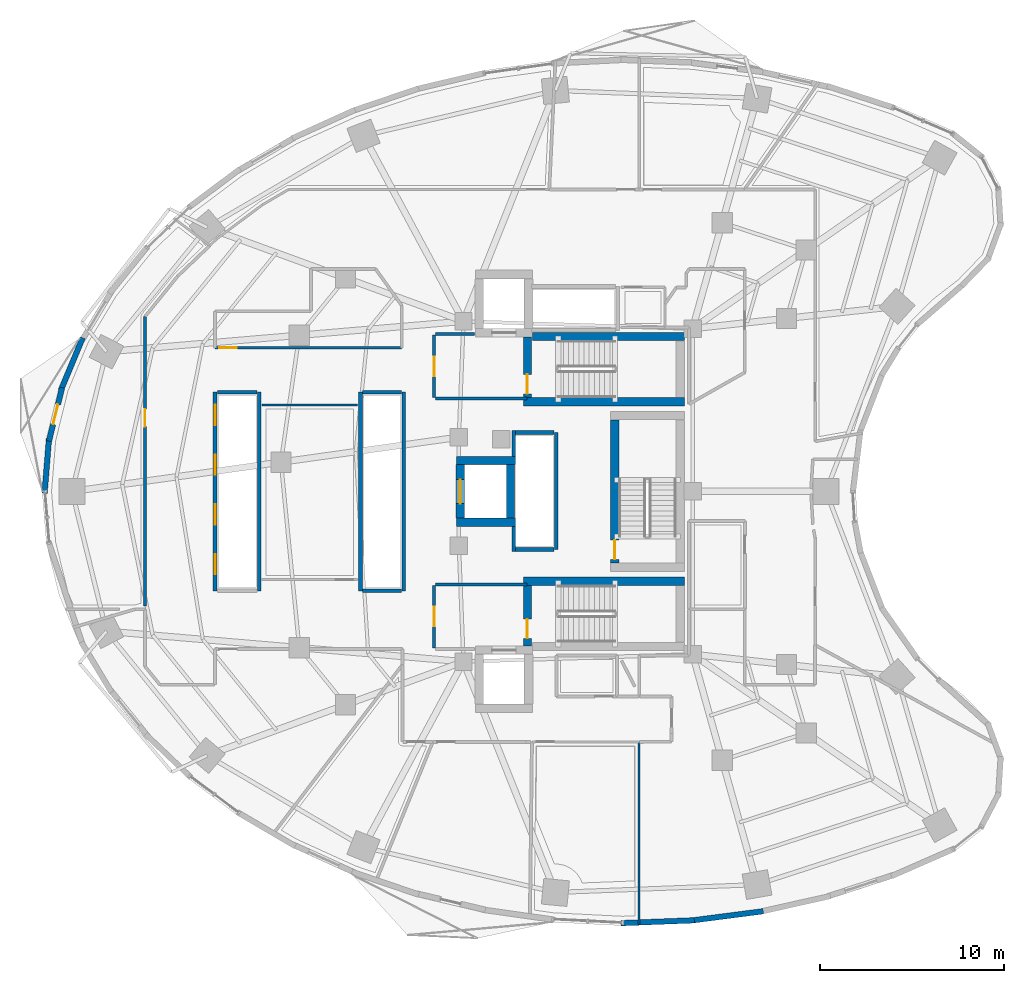
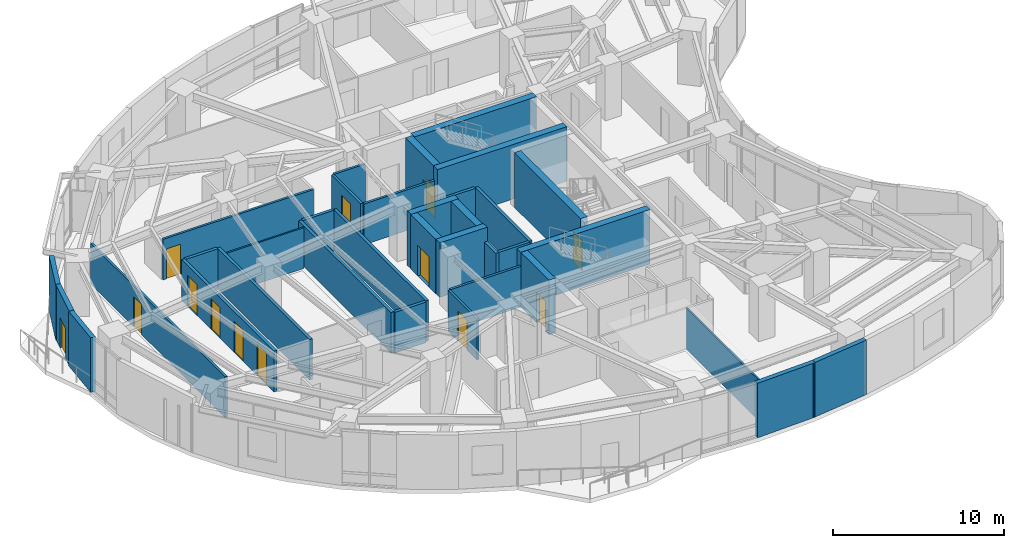
# One storey, part 9 of 15: 36 walls, 13 doors, 13 openings.
"""IFC4 building model written with IfcOpenShell, lengths in metres."""

from ifc_helpers import new_model, si_unit, direction, frame, frame_2d, origin, place, context, subcontext, project, spatial, rectangle, extrude, material, layer, layer_set, type_object, element, fill, save


model = new_model("IFC4")

# Units and contexts
model_context = context("Model", 3, precision=1e-05, world=origin(), true_north=direction((0.0, 1.0)))
body_context = subcontext(model_context, "Body", "Model", "MODEL_VIEW")
ifc_project = project(units=[si_unit("LENGTHUNIT", "METRE"), si_unit("AREAUNIT", "SQUARE_METRE"), si_unit("VOLUMEUNIT", "CUBIC_METRE"), si_unit("PLANEANGLEUNIT", "RADIAN"), si_unit("MASSUNIT", "GRAM", prefix="KILO")], contexts=[model_context])

# Site, building, storey
site_placement = place(None, origin())
site = spatial("IfcSite", under=ifc_project, at=site_placement, CompositionType="ELEMENT")
building_placement = place(site_placement, origin())
building = spatial("IfcBuilding", under=site, at=building_placement, Name="Korentha Bioscience Tower", CompositionType="ELEMENT")
storey_placement = place(building_placement, frame((0.0, 0.0, 42.60009765625)))
storey = spatial("IfcBuildingStorey", under=building, at=storey_placement, Name="L09", CompositionType="ELEMENT", Elevation=42.60009765625)

# Wall, opening, door
ifc_material_1 = material(Name="Double-Stud Acoustic Gypsum", Category="gypsum")
ifc_layer_1 = layer(ifc_material_1, 0.14990234375, Name="Double-Stud Acoustic Gypsum")
ifc_layer_set_1 = layer_set([ifc_layer_1], Name="Double-Stud Acoustic Gypsum (IW-L150)")
wall_type_1 = type_object("IfcWallType", Name="Acoustic Laboratory Partition Wall 150", PredefinedType="PARTITIONING", material=ifc_layer_set_1)
wall_1_placement = place(storey_placement, frame((21.739990234375, 34.81005859375, 0.0), z_axis=(0.0, 0.0, 1.0), x_axis=(-1.0, 0.0, 0.0)))
wall_1 = element("IfcWall", 1, at=wall_1_placement, inside=storey, type_object=wall_type_1, Name="L09 Clinical Advisory Boardroom 14 Entrance Wall", PredefinedType="PARTITIONING", context=body_context, shape_type="SweptSolid", body=[
    extrude(rectangle(XDim=10.14990234375, YDim=0.14990234375, at=frame_2d((5.074951171875, 0.0))), origin(), (0.0, 0.0, 1.0), 2.909912109375),
])
opening_1_placement = place(wall_1_placement, frame((8.9599609375, 0.0, 0.0)))
opening_1 = element("IfcOpeningElement", 2, at=opening_1_placement, cuts=wall_1, Name="Opening ID-10L", PredefinedType="OPENING", context=body_context, shape_type="SweptSolid", body=[
    extrude(rectangle(XDim=0.949951171875, YDim=2.14990234375, at=frame_2d((0.47509765625, 1.074951171875))), frame((0.0, 0.08984375, 0.0), z_axis=(0.0, -1.0, 0.0), x_axis=(1.0, 0.0, 0.0)), (0.0, 0.0, 1.0), 0.1796875),
])
ifc_material_2 = material(Name="Phenolic Laminate Timber Core", Category="wood")
door_type_1 = type_object("IfcDoorType", Name="Laboratory Single Leaf Door 950x2150 Left", OperationType="SINGLE_SWING_LEFT", PredefinedType="DOOR", material=ifc_material_2)
door_1_placement = place(opening_1_placement, origin())
door_1 = element("IfcDoor", 3, at=door_1_placement, inside=storey, type_object=door_type_1, Name="L09 Clinical Advisory Boardroom 14 Door", OperationType="SINGLE_SWING_LEFT", OverallHeight=2.14990234375, OverallWidth=0.949951171875, PredefinedType="DOOR", context=body_context, shape_type="SweptSolid", body=[
    extrude(rectangle(XDim=0.949951171875, YDim=2.14990234375, at=frame_2d((0.47509765625, 1.074951171875))), frame((0.0, 0.02490234375, 0.0), z_axis=(0.0, -1.0, 0.0), x_axis=(1.0, 0.0, 0.0)), (0.0, 0.0, 1.0), 0.050048828125),
])
fill(opening_1, door_1)

wall_2_placement = place(storey_placement, frame((7.7900390625, 36.501220703125, 0.0), z_axis=(0.0, 0.0, 1.0), x_axis=(0.0, -1.0, 0.0)))
wall_2 = element("IfcWall", 4, at=wall_2_placement, inside=storey, type_object=wall_type_1, Name="L09 Researchers' Wellness Quiet Room 15 Entrance Wall", PredefinedType="PARTITIONING", context=body_context, shape_type="SweptSolid", body=[
    extrude(rectangle(XDim=15.739501953125, YDim=0.14990234375, at=frame_2d((7.86962890625, 0.0))), origin(), (0.0, 0.0, 1.0), 2.909912109375),
])
opening_2_placement = place(wall_2_placement, frame((5.023193359375, 0.0, 0.0)))
opening_2 = element("IfcOpeningElement", 5, at=opening_2_placement, cuts=wall_2, Name="Opening ID-10R", PredefinedType="OPENING", context=body_context, shape_type="SweptSolid", body=[
    extrude(rectangle(XDim=0.949951171875, YDim=2.14990234375, at=frame_2d((0.47509765625, 1.074951171875))), frame((0.0, 0.08984375, 0.0), z_axis=(0.0, -1.0, 0.0), x_axis=(1.0, 0.0, 0.0)), (0.0, 0.0, 1.0), 0.1796875),
])
door_type_2 = type_object("IfcDoorType", Name="Laboratory Single Leaf Door 950x2150 Right", OperationType="SINGLE_SWING_RIGHT", PredefinedType="DOOR", material=ifc_material_2)
door_2_placement = place(opening_2_placement, origin())
door_2 = element("IfcDoor", 6, at=door_2_placement, inside=storey, type_object=door_type_2, Name="L09 Researchers' Wellness Quiet Room 15 Door", OperationType="SINGLE_SWING_RIGHT", OverallHeight=2.14990234375, OverallWidth=0.949951171875, PredefinedType="DOOR", context=body_context, shape_type="SweptSolid", body=[
    extrude(rectangle(XDim=0.949951171875, YDim=2.14990234375, at=frame_2d((0.47509765625, 1.074951171875))), frame((0.0, 0.02490234375, 0.0), z_axis=(0.0, -1.0, 0.0), x_axis=(1.0, 0.0, 0.0)), (0.0, 0.0, 1.0), 0.050048828125),
])
fill(opening_2, door_2)

# Walls
ifc_material_3 = material(Name="Fire-Rated Framed Glass", Category="glass")
ifc_layer_2 = layer(ifc_material_3, 0.110107421875, Name="Fire-Rated Framed Glass")
ifc_layer_set_2 = layer_set([ifc_layer_2], Name="Fire-Rated Framed Glass (IW-G110)")
wall_type_2 = type_object("IfcWallType", Name="Demountable Glazed Office Partition 110", PredefinedType="MOVABLE", material=ifc_layer_set_2)
wall_3_placement = place(storey_placement, frame((14.16015625, 31.697998046875, 0.0), z_axis=(0.0, 0.0, 1.0), x_axis=(1.0, 0.0, 0.0)))
element("IfcWall", 7, at=wall_3_placement, inside=storey, type_object=wall_type_2, Name="L09 Interior Partition 023", PredefinedType="MOVABLE", context=body_context, shape_type="SweptSolid", body=[
    extrude(rectangle(XDim=5.1796875, YDim=0.110107421875, at=frame_2d((2.58984375, 0.0))), origin(), (0.0, 0.0, 1.0), 2.909912109375),
])
wall_4_placement = place(storey_placement, frame((34.64794921875, 13.389892578125, 0.0), z_axis=(0.0, 0.0, 1.0), x_axis=(0.0, -1.0, 0.0)))
element("IfcWall", 8, at=wall_4_placement, inside=storey, type_object=wall_type_2, Name="L09 Interior Partition 036", PredefinedType="MOVABLE", context=body_context, shape_type="SweptSolid", body=[
    extrude(rectangle(XDim=9.93408203125, YDim=0.110107421875, at=frame_2d((4.967041015625, 0.0))), origin(), (0.0, 0.0, 1.0), 2.909912109375),
])

# Wall, opening, door
ifc_material_4 = material(Name="Gypsum-Clad Steel Stud", Category="steel")
ifc_layer_3 = layer(ifc_material_4, 0.159912109375, Name="Gypsum-Clad Steel Stud")
ifc_layer_set_3 = layer_set([ifc_layer_3], Name="Gypsum-Clad Steel Stud (IW-C160)")
wall_type_3 = type_object("IfcWallType", Name="Fire-Rated Corridor Partition Wall 160", PredefinedType="PARTITIONING", material=ifc_layer_set_3)
wall_5_placement = place(storey_placement, frame((23.5, 32.10009765625, 0.0), z_axis=(0.0, 0.0, 1.0), x_axis=(0.0, 1.0, 0.0)))
wall_5 = element("IfcWall", 9, at=wall_5_placement, inside=storey, type_object=wall_type_3, Name="L09 FFLN-CW Rated Enclosure Wall", PredefinedType="PARTITIONING", context=body_context, shape_type="SweptSolid", body=[
    extrude(rectangle(XDim=3.39990234375, YDim=0.159912109375, at=frame_2d((1.699951171875, 0.0))), origin(), (0.0, 0.0, 1.0), 2.909912109375),
])
opening_3_placement = place(wall_5_placement, frame((1.175048828125, 0.0, 0.0)))
opening_3 = element("IfcOpeningElement", 10, at=opening_3_placement, cuts=wall_5, Name="Opening FD-90R", PredefinedType="OPENING", context=body_context, shape_type="SweptSolid", body=[
    extrude(rectangle(XDim=1.050048828125, YDim=2.14990234375, at=frame_2d((0.52490234375, 1.074951171875))), frame((0.0, 0.0947265625, 0.0), z_axis=(0.0, -1.0, 0.0), x_axis=(1.0, 0.0, 0.0)), (0.0, 0.0, 1.0), 0.189697265625),
])
ifc_material_5 = material(Name="Powder-Coated Fire-Rated Steel", Category="steel")
door_type_3 = type_object("IfcDoorType", Name="Stairwell Fire Exit Door 1050x2150 Right", OperationType="SINGLE_SWING_RIGHT", PredefinedType="DOOR", material=ifc_material_5)
door_3_placement = place(opening_3_placement, origin())
door_3 = element("IfcDoor", 11, at=door_3_placement, inside=storey, type_object=door_type_3, Name="L09 North Firefighting Lobby Door", OperationType="SINGLE_SWING_RIGHT", OverallHeight=2.14990234375, OverallWidth=1.050048828125, PredefinedType="DOOR", context=body_context, shape_type="SweptSolid", body=[
    extrude(rectangle(XDim=1.050048828125, YDim=2.14990234375, at=frame_2d((0.52490234375, 1.074951171875))), frame((0.0, 0.02490234375, 0.0), z_axis=(0.0, -1.0, 0.0), x_axis=(1.0, 0.0, 0.0)), (0.0, 0.0, 1.0), 0.050048828125),
])
fill(opening_3, door_3)

wall_6_placement = place(storey_placement, frame((23.5, 18.5, 0.0), z_axis=(0.0, 0.0, 1.0), x_axis=(0.0, 1.0, 0.0)))
wall_6 = element("IfcWall", 12, at=wall_6_placement, inside=storey, type_object=wall_type_3, Name="L09 FFLS-CW Rated Enclosure Wall", PredefinedType="PARTITIONING", context=body_context, shape_type="SweptSolid", body=[
    extrude(rectangle(XDim=3.39990234375, YDim=0.159912109375, at=frame_2d((1.699951171875, 0.0))), origin(), (0.0, 0.0, 1.0), 2.909912109375),
])
opening_4_placement = place(wall_6_placement, frame((1.175048828125, 0.0, 0.0)))
opening_4 = element("IfcOpeningElement", 13, at=opening_4_placement, cuts=wall_6, Name="Opening FD-90R", PredefinedType="OPENING", context=body_context, shape_type="SweptSolid", body=[
    extrude(rectangle(XDim=1.050048828125, YDim=2.14990234375, at=frame_2d((0.52490234375, 1.074951171875))), frame((0.0, 0.0947265625, 0.0), z_axis=(0.0, -1.0, 0.0), x_axis=(1.0, 0.0, 0.0)), (0.0, 0.0, 1.0), 0.189697265625),
])
door_4_placement = place(opening_4_placement, origin())
door_4 = element("IfcDoor", 14, at=door_4_placement, inside=storey, type_object=door_type_3, Name="L09 South Firefighting Lobby Door", OperationType="SINGLE_SWING_RIGHT", OverallHeight=2.14990234375, OverallWidth=1.050048828125, PredefinedType="DOOR", context=body_context, shape_type="SweptSolid", body=[
    extrude(rectangle(XDim=1.050048828125, YDim=2.14990234375, at=frame_2d((0.52490234375, 1.074951171875))), frame((0.0, 0.02490234375, 0.0), z_axis=(0.0, -1.0, 0.0), x_axis=(1.0, 0.0, 0.0)), (0.0, 0.0, 1.0), 0.050048828125),
])
fill(opening_4, door_4)

# Walls
wall_7_placement = place(storey_placement, frame((23.580078125, 32.050048828125, 0.0), z_axis=(0.0, 0.0, 1.0), x_axis=(1.0, 0.0, 0.0)))
element("IfcWall", 15, at=wall_7_placement, inside=storey, type_object=wall_type_3, Name="L09 Firefighting Lobby Return Wall FFLN-S", PredefinedType="PARTITIONING", context=body_context, shape_type="SweptSolid", body=[
    extrude(rectangle(XDim=4.969970703125, YDim=0.159912109375, at=frame_2d((2.48486328125, 0.0))), origin(), (0.0, 0.0, 1.0), 2.909912109375),
])
wall_8_placement = place(storey_placement, frame((23.580078125, 35.550048828125, 0.0), z_axis=(0.0, 0.0, 1.0), x_axis=(1.0, 0.0, 0.0)))
element("IfcWall", 16, at=wall_8_placement, inside=storey, type_object=wall_type_3, Name="L09 Firefighting Lobby Return Wall FFLN-N", PredefinedType="PARTITIONING", context=body_context, shape_type="SweptSolid", body=[
    extrude(rectangle(XDim=2.119873046875, YDim=0.159912109375, at=frame_2d((1.06005859375, 0.0))), origin(), (0.0, 0.0, 1.0), 2.909912109375),
])
wall_9_placement = place(storey_placement, frame((23.580078125, 21.949951171875, 0.0), z_axis=(0.0, 0.0, 1.0), x_axis=(1.0, 0.0, 0.0)))
element("IfcWall", 17, at=wall_9_placement, inside=storey, type_object=wall_type_3, Name="L09 Firefighting Lobby Return Wall FFLS-N", PredefinedType="PARTITIONING", context=body_context, shape_type="SweptSolid", body=[
    extrude(rectangle(XDim=4.969970703125, YDim=0.159912109375, at=frame_2d((2.48486328125, 0.0))), origin(), (0.0, 0.0, 1.0), 2.909912109375),
])

# Wall, opening, door
ifc_material_6 = material(Name="Honed Limestone Precast Concrete C40", Category="masonry")
ifc_layer_4 = layer(ifc_material_6, 0.300048828125, Name="Honed Limestone Precast Concrete C40")
ifc_layer_set_4 = layer_set([ifc_layer_4], Name="Honed Limestone Precast Concrete C40 (EW-ST300)")
wall_type_4 = type_object("IfcWallType", Name="Honed Limestone Cavity Spandrel Wall 300", PredefinedType="STANDARD", material=ifc_layer_set_4)
wall_10_placement = place(storey_placement, frame((3.28466796875, 32.640625, 0.0), z_axis=(0.0, 0.0, 1.0), x_axis=(-0.238522035896, -0.971137085273, 0.0)))
wall_10 = element("IfcWall", 18, at=wall_10_placement, inside=storey, type_object=wall_type_4, Name="L09 Balcony Threshold Wall 02", PredefinedType="STANDARD", context=body_context, shape_type="SweptSolid", body=[
    extrude(rectangle(XDim=2.992919921875, YDim=0.300048828125, at=frame_2d((1.49658203125, 0.0))), origin(), (0.0, 0.0, 1.0), 3.89990234375),
])
opening_5_placement = place(wall_10_placement, frame((0.9462890625, 0.0, 0.0)))
opening_5 = element("IfcOpeningElement", 19, at=opening_5_placement, cuts=wall_10, Name="Opening BD-11R", PredefinedType="OPENING", context=body_context, shape_type="SweptSolid", body=[
    extrude(rectangle(XDim=1.10009765625, YDim=2.14990234375, at=frame_2d((0.550048828125, 1.074951171875))), frame((0.0, 0.1650390625, 0.0), z_axis=(0.0, -1.0, 0.0), x_axis=(1.0, 0.0, 0.0)), (0.0, 0.0, 1.0), 0.329833984375),
])
ifc_material_7 = material(Name="Thermally Broken Glazed Aluminium", Category="aluminium")
door_type_4 = type_object("IfcDoorType", Name="Balcony Terrace Glazed Door 1100x2150 Right", OperationType="SINGLE_SWING_RIGHT", PredefinedType="DOOR", material=ifc_material_7)
door_5_placement = place(opening_5_placement, origin())
door_5 = element("IfcDoor", 20, at=door_5_placement, inside=storey, type_object=door_type_4, Name="L09 Balcony Access Door 02", OperationType="SINGLE_SWING_RIGHT", OverallHeight=2.14990234375, OverallWidth=1.10009765625, PredefinedType="DOOR", context=body_context, shape_type="SweptSolid", body=[
    extrude(rectangle(XDim=1.10009765625, YDim=2.14990234375, at=frame_2d((0.550048828125, 1.074951171875))), frame((0.0, 0.02490234375, 0.0), z_axis=(0.0, -1.0, 0.0), x_axis=(1.0, 0.0, 0.0)), (0.0, 0.0, 1.0), 0.050048828125),
])
fill(opening_5, door_5)

# Walls
wall_11_placement = place(storey_placement, frame((4.40625, 35.34912109375, 0.0), z_axis=(0.0, 0.0, 1.0), x_axis=(-0.38535448421, -0.922768617531, 0.0)))
element("IfcWall", 21, at=wall_11_placement, inside=storey, type_object=wall_type_4, Name="L09 Limestone Perimeter Closure Wall 16", PredefinedType="STANDARD", context=body_context, shape_type="SweptSolid", body=[
    extrude(rectangle(XDim=3.095458984375, YDim=0.300048828125, at=frame_2d((1.5478515625, 0.0))), origin(), (0.0, 0.0, 1.0), 3.89990234375),
])
wall_12_placement = place(storey_placement, frame((2.57568359375, 29.899169921875, 0.0), z_axis=(0.0, 0.0, 1.0), x_axis=(-0.080890160317, -0.996723021689, 0.0)))
element("IfcWall", 22, at=wall_12_placement, inside=storey, type_object=wall_type_4, Name="L09 Limestone Perimeter Closure Wall 18", PredefinedType="STANDARD", context=body_context, shape_type="SweptSolid", body=[
    extrude(rectangle(XDim=3.0, YDim=0.300048828125, at=frame_2d((1.5, 0.0))), origin(), (0.0, 0.0, 1.0), 3.89990234375),
])
wall_13_placement = place(storey_placement, frame((33.66796875, 3.53759765625, 0.0), z_axis=(0.0, 0.0, 1.0), x_axis=(0.999245411623, 0.038840794937, 0.0)))
element("IfcWall", 23, at=wall_13_placement, inside=storey, type_object=wall_type_4, Name="L09 Limestone Perimeter Closure Wall 32", PredefinedType="STANDARD", context=body_context, shape_type="SweptSolid", body=[
    extrude(rectangle(XDim=3.978759765625, YDim=0.300048828125, at=frame_2d((1.9892578125, 0.0))), origin(), (0.0, 0.0, 1.0), 3.89990234375),
])
wall_14_placement = place(storey_placement, frame((37.471923828125, 3.677734375, 0.0), z_axis=(0.0, 0.0, 1.0), x_axis=(0.991734095036, 0.128310111617, 0.0)))
element("IfcWall", 24, at=wall_14_placement, inside=storey, type_object=wall_type_4, Name="L09 Limestone Perimeter Closure Wall 33", PredefinedType="STANDARD", context=body_context, shape_type="SweptSolid", body=[
    extrude(rectangle(XDim=3.955810546875, YDim=0.300048828125, at=frame_2d((1.97802734375, 0.0))), origin(), (0.0, 0.0, 1.0), 3.89990234375),
])

# Wall, openings, doors
ifc_material_8 = material(Name="Autoclaved Aerated Concrete Block C25", Category="concrete")
ifc_layer_5 = layer(ifc_material_8, 0.199951171875, Name="Autoclaved Aerated Concrete Block C25")
ifc_layer_set_5 = layer_set([ifc_layer_5], Name="Autoclaved Aerated Concrete Block C25 (IW-S200)")
wall_type_5 = type_object("IfcWallType", Name="Lift and Riser Shaft Enclosure Wall 200", PredefinedType="PARTITIONING", material=ifc_layer_set_5)
wall_15_placement = place(storey_placement, frame((11.60009765625, 21.60009765625, 0.0), z_axis=(0.0, 0.0, 1.0), x_axis=(0.0, 1.0, 0.0)))
wall_15 = element("IfcWall", 25, at=wall_15_placement, inside=storey, type_object=wall_type_5, Name="L09 Lift Bank LOW Shaft Wall -X", PredefinedType="PARTITIONING", context=body_context, shape_type="SweptSolid", body=[
    extrude(rectangle(XDim=10.7998046875, YDim=0.199951171875, at=frame_2d((5.39990234375, 0.0))), origin(), (0.0, 0.0, 1.0), 2.909912109375),
])
opening_6_placement = place(wall_15_placement, frame((0.89990234375, 0.0, 0.0)))
opening_6 = element("IfcOpeningElement", 26, at=opening_6_placement, cuts=wall_15, Name="Opening LD-11", PredefinedType="OPENING", context=body_context, shape_type="SweptSolid", body=[
    extrude(rectangle(XDim=1.10009765625, YDim=2.199951171875, at=frame_2d((0.550048828125, 1.10009765625))), frame((0.0, 0.11474609375, 0.0), z_axis=(0.0, -1.0, 0.0), x_axis=(1.0, 0.0, 0.0)), (0.0, 0.0, 1.0), 0.229736328125),
])
opening_7_placement = place(wall_15_placement, frame((3.60009765625, 0.0, 0.0)))
opening_7 = element("IfcOpeningElement", 27, at=opening_7_placement, cuts=wall_15, Name="Opening LD-11", PredefinedType="OPENING", context=body_context, shape_type="SweptSolid", body=[
    extrude(rectangle(XDim=1.10009765625, YDim=2.199951171875, at=frame_2d((0.550048828125, 1.10009765625))), frame((0.0, 0.11474609375, 0.0), z_axis=(0.0, -1.0, 0.0), x_axis=(1.0, 0.0, 0.0)), (0.0, 0.0, 1.0), 0.229736328125),
])
opening_8_placement = place(wall_15_placement, frame((6.300048828125, 0.0, 0.0)))
opening_8 = element("IfcOpeningElement", 28, at=opening_8_placement, cuts=wall_15, Name="Opening LD-11", PredefinedType="OPENING", context=body_context, shape_type="SweptSolid", body=[
    extrude(rectangle(XDim=1.10009765625, YDim=2.199951171875, at=frame_2d((0.550048828125, 1.10009765625))), frame((0.0, 0.11474609375, 0.0), z_axis=(0.0, -1.0, 0.0), x_axis=(1.0, 0.0, 0.0)), (0.0, 0.0, 1.0), 0.229736328125),
])
opening_9_placement = place(wall_15_placement, frame((9.0, 0.0, 0.0)))
opening_9 = element("IfcOpeningElement", 29, at=opening_9_placement, cuts=wall_15, Name="Opening LD-11", PredefinedType="OPENING", context=body_context, shape_type="SweptSolid", body=[
    extrude(rectangle(XDim=1.10009765625, YDim=2.199951171875, at=frame_2d((0.550048828125, 1.10009765625))), frame((0.0, 0.11474609375, 0.0), z_axis=(0.0, -1.0, 0.0), x_axis=(1.0, 0.0, 0.0)), (0.0, 0.0, 1.0), 0.229736328125),
])
ifc_material_9 = material(Name="Brushed Stainless Steel 304", Category="steel")
door_type_5 = type_object("IfcDoorType", Name="Passenger Lift Sliding Landing Door 1100x2200", OperationType="DOUBLE_DOOR_SLIDING", PredefinedType="DOOR", material=ifc_material_9)
door_6_placement = place(opening_6_placement, origin())
door_6 = element("IfcDoor", 30, at=door_6_placement, inside=storey, type_object=door_type_5, Name="L09 PL-L1 Sliding Lift Landing Door", OperationType="DOUBLE_DOOR_SLIDING", OverallHeight=2.199951171875, OverallWidth=1.10009765625, PredefinedType="DOOR", context=body_context, shape_type="SweptSolid", body=[
    extrude(rectangle(XDim=1.10009765625, YDim=2.199951171875, at=frame_2d((0.550048828125, 1.10009765625))), frame((0.0, 0.02490234375, 0.0), z_axis=(0.0, -1.0, 0.0), x_axis=(1.0, 0.0, 0.0)), (0.0, 0.0, 1.0), 0.050048828125),
])
fill(opening_6, door_6)
door_7_placement = place(opening_7_placement, origin())
door_7 = element("IfcDoor", 31, at=door_7_placement, inside=storey, type_object=door_type_5, Name="L09 PL-L2 Sliding Lift Landing Door", OperationType="DOUBLE_DOOR_SLIDING", OverallHeight=2.199951171875, OverallWidth=1.10009765625, PredefinedType="DOOR", context=body_context, shape_type="SweptSolid", body=[
    extrude(rectangle(XDim=1.10009765625, YDim=2.199951171875, at=frame_2d((0.550048828125, 1.10009765625))), frame((0.0, 0.02490234375, 0.0), z_axis=(0.0, -1.0, 0.0), x_axis=(1.0, 0.0, 0.0)), (0.0, 0.0, 1.0), 0.050048828125),
])
fill(opening_7, door_7)
door_8_placement = place(opening_8_placement, origin())
door_8 = element("IfcDoor", 32, at=door_8_placement, inside=storey, type_object=door_type_5, Name="L09 PL-L3 Sliding Lift Landing Door", OperationType="DOUBLE_DOOR_SLIDING", OverallHeight=2.199951171875, OverallWidth=1.10009765625, PredefinedType="DOOR", context=body_context, shape_type="SweptSolid", body=[
    extrude(rectangle(XDim=1.10009765625, YDim=2.199951171875, at=frame_2d((0.550048828125, 1.10009765625))), frame((0.0, 0.02490234375, 0.0), z_axis=(0.0, -1.0, 0.0), x_axis=(1.0, 0.0, 0.0)), (0.0, 0.0, 1.0), 0.050048828125),
])
fill(opening_8, door_8)
door_9_placement = place(opening_9_placement, origin())
door_9 = element("IfcDoor", 33, at=door_9_placement, inside=storey, type_object=door_type_5, Name="L09 PL-L4 Sliding Lift Landing Door", OperationType="DOUBLE_DOOR_SLIDING", OverallHeight=2.199951171875, OverallWidth=1.10009765625, PredefinedType="DOOR", context=body_context, shape_type="SweptSolid", body=[
    extrude(rectangle(XDim=1.10009765625, YDim=2.199951171875, at=frame_2d((0.550048828125, 1.10009765625))), frame((0.0, 0.02490234375, 0.0), z_axis=(0.0, -1.0, 0.0), x_axis=(1.0, 0.0, 0.0)), (0.0, 0.0, 1.0), 0.050048828125),
])
fill(opening_9, door_9)

# Walls
wall_16_placement = place(storey_placement, frame((14.0, 21.60009765625, 0.0), z_axis=(0.0, 0.0, 1.0), x_axis=(0.0, 1.0, 0.0)))
element("IfcWall", 34, at=wall_16_placement, inside=storey, type_object=wall_type_5, Name="L09 Lift Bank LOW Shaft Wall +X", PredefinedType="PARTITIONING", context=body_context, shape_type="SweptSolid", body=[
    extrude(rectangle(XDim=10.7998046875, YDim=0.199951171875, at=frame_2d((5.39990234375, 0.0))), origin(), (0.0, 0.0, 1.0), 2.909912109375),
])
wall_17_placement = place(storey_placement, frame((11.719970703125, 32.39990234375, 0.0), z_axis=(0.0, 0.0, 1.0), x_axis=(1.0, 0.0, 0.0)))
element("IfcWall", 35, at=wall_17_placement, inside=storey, type_object=wall_type_5, Name="L09 Lift Bank LOW Shaft Wall +Y", PredefinedType="PARTITIONING", context=body_context, shape_type="SweptSolid", body=[
    extrude(rectangle(XDim=2.159912109375, YDim=0.199951171875, at=frame_2d((1.080078125, 0.0))), origin(), (0.0, 0.0, 1.0), 2.909912109375),
])
for number, where, z_axis, x_axis, name in (
    (36, (19.5, 21.60009765625, 0.0), (0.0, 0.0, 1.0), (0.0, 1.0, 0.0), "L09 Lift Bank MID Shaft Wall -X"),
    (37, (21.85009765625, 21.60009765625, 0.0), (0.0, 0.0, 1.0), (0.0, 1.0, 0.0), "L09 Lift Bank MID Shaft Wall +X"),
):
    element("IfcWall", number, at=place(storey_placement, frame(where, z_axis=z_axis, x_axis=x_axis)), inside=storey, type_object=wall_type_5, Name=name, PredefinedType="PARTITIONING", context=body_context, shape_type="SweptSolid", body=[
        extrude(rectangle(XDim=10.7998046875, YDim=0.199951171875, at=frame_2d((5.39990234375, 0.0))), origin(), (0.0, 0.0, 1.0), 2.909912109375),
    ])
for number, where, z_axis, x_axis, name in (
    (38, (19.6201171875, 21.60009765625, 0.0), (0.0, 0.0, 1.0), (1.0, 0.0, 0.0), "L09 Lift Bank MID Shaft Wall -Y"),
    (39, (19.6201171875, 32.39990234375, 0.0), (0.0, 0.0, 1.0), (1.0, 0.0, 0.0), "L09 Lift Bank MID Shaft Wall +Y"),
):
    element("IfcWall", number, at=place(storey_placement, frame(where, z_axis=z_axis, x_axis=x_axis)), inside=storey, type_object=wall_type_5, Name=name, PredefinedType="PARTITIONING", context=body_context, shape_type="SweptSolid", body=[
        extrude(rectangle(XDim=2.10986328125, YDim=0.199951171875, at=frame_2d((1.054931640625, 0.0))), origin(), (0.0, 0.0, 1.0), 2.909912109375),
    ])
wall_18_placement = place(storey_placement, frame((27.830078125, 23.75, 0.0), z_axis=(0.0, 0.0, 1.0), x_axis=(0.0, 1.0, 0.0)))
element("IfcWall", 40, at=wall_18_placement, inside=storey, type_object=wall_type_5, Name="L09 Lift Bank HIGH Shaft Wall -XS", PredefinedType="PARTITIONING", context=body_context, shape_type="SweptSolid", body=[
    extrude(rectangle(XDim=1.341064453125, YDim=0.199951171875, at=frame_2d((0.67041015625, 0.0))), origin(), (0.0, 0.0, 1.0), 2.909912109375),
])
wall_19_placement = place(storey_placement, frame((27.830078125, 28.908935546875, 0.0), z_axis=(0.0, 0.0, 1.0), x_axis=(0.0, 1.0, 0.0)))
element("IfcWall", 41, at=wall_19_placement, inside=storey, type_object=wall_type_5, Name="L09 Lift Bank HIGH Shaft Wall -XN", PredefinedType="PARTITIONING", context=body_context, shape_type="SweptSolid", body=[
    extrude(rectangle(XDim=1.39111328125, YDim=0.199951171875, at=frame_2d((0.695556640625, 0.0))), origin(), (0.0, 0.0, 1.0), 2.909912109375),
])
wall_20_placement = place(storey_placement, frame((30.14990234375, 23.85009765625, 0.0), z_axis=(0.0, 0.0, 1.0), x_axis=(0.0, 1.0, 0.0)))
element("IfcWall", 42, at=wall_20_placement, inside=storey, type_object=wall_type_5, Name="L09 Lift Bank HIGH Shaft Wall +X", PredefinedType="PARTITIONING", context=body_context, shape_type="SweptSolid", body=[
    extrude(rectangle(XDim=6.349853515625, YDim=0.199951171875, at=frame_2d((3.1748046875, 0.0))), origin(), (0.0, 0.0, 1.0), 2.909912109375),
])
for number, where, z_axis, x_axis, name in (
    (43, (27.93408203125, 23.85009765625, 0.0), (0.0, 0.0, 1.0), (1.0, 0.0, 0.0), "L09 Lift Bank HIGH Shaft Wall -Y"),
    (44, (27.93408203125, 30.199951171875, 0.0), (0.0, 0.0, 1.0), (1.0, 0.0, 0.0), "L09 Lift Bank HIGH Shaft Wall +Y"),
):
    element("IfcWall", number, at=place(storey_placement, frame(where, z_axis=z_axis, x_axis=x_axis)), inside=storey, type_object=wall_type_5, Name=name, PredefinedType="PARTITIONING", context=body_context, shape_type="SweptSolid", body=[
        extrude(rectangle(XDim=2.095947265625, YDim=0.199951171875, at=frame_2d((1.0478515625, 0.0))), origin(), (0.0, 0.0, 1.0), 2.909912109375),
    ])
ifc_material_10 = material(Name="Concrete C80", Category="concrete")
ifc_layer_6 = layer(ifc_material_10, 0.449951171875, Name="Concrete C80")
ifc_layer_set_6 = layer_set([ifc_layer_6], Name="Concrete C80 (CW-C80)")
wall_type_6 = type_object("IfcWallType", Name="Lower Core Shear Wall 450", PredefinedType="SHEAR", material=ifc_layer_set_6)
wall_21_placement = place(storey_placement, frame((28.85205078125, 35.425048828125, 0.0), z_axis=(0.0, 0.0, 1.0), x_axis=(1.0, 0.0, 0.0)))
element("IfcWall", 45, at=wall_21_placement, inside=storey, type_object=wall_type_6, Name="L09 Core Shear Wall ST1-N", PredefinedType="SHEAR", context=body_context, shape_type="SweptSolid", body=[
    extrude(rectangle(XDim=8.248046875, YDim=0.449951171875, at=frame_2d((4.1240234375, 0.0))), origin(), (0.0, 0.0, 1.0), 3.89990234375),
])
wall_22_placement = place(storey_placement, frame((28.35009765625, 31.875, 0.0), z_axis=(0.0, 0.0, 1.0), x_axis=(1.0, 0.0, 0.0)))
element("IfcWall", 46, at=wall_22_placement, inside=storey, type_object=wall_type_6, Name="L09 Core Shear Wall ST1-S", PredefinedType="SHEAR", context=body_context, shape_type="SweptSolid", body=[
    extrude(rectangle(XDim=8.75, YDim=0.449951171875, at=frame_2d((4.375, 0.0))), origin(), (0.0, 0.0, 1.0), 3.89990234375),
])

# Wall, opening, door
wall_23_placement = place(storey_placement, frame((28.574951171875, 32.110107421875, 0.0), z_axis=(0.0, 0.0, 1.0), x_axis=(0.0, 1.0, 0.0)))
wall_23 = element("IfcWall", 47, at=wall_23_placement, inside=storey, type_object=wall_type_6, Name="L09 Core Shear Wall ST1-W", PredefinedType="SHEAR", context=body_context, shape_type="SweptSolid", body=[
    extrude(rectangle(XDim=3.282958984375, YDim=0.449951171875, at=frame_2d((1.6416015625, 0.0))), origin(), (0.0, 0.0, 1.0), 3.89990234375),
])
opening_10_placement = place(wall_23_placement, frame((0.199951171875, 0.0, 0.0)))
opening_10 = element("IfcOpeningElement", 48, at=opening_10_placement, cuts=wall_23, Name="Opening FD-90R", PredefinedType="OPENING", context=body_context, shape_type="SweptSolid", body=[
    extrude(rectangle(XDim=1.050048828125, YDim=2.14990234375, at=frame_2d((0.52490234375, 1.074951171875))), frame((0.0, 0.23974609375, 0.0), z_axis=(0.0, -1.0, 0.0), x_axis=(1.0, 0.0, 0.0)), (0.0, 0.0, 1.0), 0.479736328125),
])
door_10_placement = place(opening_10_placement, origin())
door_10 = element("IfcDoor", 49, at=door_10_placement, inside=storey, type_object=door_type_3, Name="L09 ST-1 Fire Exit Stair Door", OperationType="SINGLE_SWING_RIGHT", OverallHeight=2.14990234375, OverallWidth=1.050048828125, PredefinedType="DOOR", context=body_context, shape_type="SweptSolid", body=[
    extrude(rectangle(XDim=1.050048828125, YDim=2.14990234375, at=frame_2d((0.52490234375, 1.074951171875))), frame((0.0, 0.02490234375, 0.0), z_axis=(0.0, -1.0, 0.0), x_axis=(1.0, 0.0, 0.0)), (0.0, 0.0, 1.0), 0.050048828125),
])
fill(opening_10, door_10)

# Wall
wall_24_placement = place(storey_placement, frame((28.35009765625, 22.125, 0.0), z_axis=(0.0, 0.0, 1.0), x_axis=(1.0, 0.0, 0.0)))
element("IfcWall", 50, at=wall_24_placement, inside=storey, type_object=wall_type_6, Name="L09 Core Shear Wall ST2-N", PredefinedType="SHEAR", context=body_context, shape_type="SweptSolid", body=[
    extrude(rectangle(XDim=8.75, YDim=0.449951171875, at=frame_2d((4.375, 0.0))), origin(), (0.0, 0.0, 1.0), 3.89990234375),
])

# Wall, opening, door
wall_25_placement = place(storey_placement, frame((28.574951171875, 18.60693359375, 0.0), z_axis=(0.0, 0.0, 1.0), x_axis=(0.0, 1.0, 0.0)))
wall_25 = element("IfcWall", 51, at=wall_25_placement, inside=storey, type_object=wall_type_6, Name="L09 Core Shear Wall ST2-W", PredefinedType="SHEAR", context=body_context, shape_type="SweptSolid", body=[
    extrude(rectangle(XDim=3.282958984375, YDim=0.449951171875, at=frame_2d((1.6416015625, 0.0))), origin(), (0.0, 0.0, 1.0), 3.89990234375),
])
opening_11_placement = place(wall_25_placement, frame((0.403076171875, 0.0, 0.0)))
opening_11 = element("IfcOpeningElement", 52, at=opening_11_placement, cuts=wall_25, Name="Opening FD-90R", PredefinedType="OPENING", context=body_context, shape_type="SweptSolid", body=[
    extrude(rectangle(XDim=1.050048828125, YDim=2.14990234375, at=frame_2d((0.52490234375, 1.074951171875))), frame((0.0, 0.23974609375, 0.0), z_axis=(0.0, -1.0, 0.0), x_axis=(1.0, 0.0, 0.0)), (0.0, 0.0, 1.0), 0.479736328125),
])
door_11_placement = place(opening_11_placement, origin())
door_11 = element("IfcDoor", 53, at=door_11_placement, inside=storey, type_object=door_type_3, Name="L09 ST-2 Fire Exit Stair Door", OperationType="SINGLE_SWING_RIGHT", OverallHeight=2.14990234375, OverallWidth=1.050048828125, PredefinedType="DOOR", context=body_context, shape_type="SweptSolid", body=[
    extrude(rectangle(XDim=1.050048828125, YDim=2.14990234375, at=frame_2d((0.52490234375, 1.074951171875))), frame((0.0, 0.02490234375, 0.0), z_axis=(0.0, -1.0, 0.0), x_axis=(1.0, 0.0, 0.0)), (0.0, 0.0, 1.0), 0.050048828125),
])
fill(opening_11, door_11)

wall_26_placement = place(storey_placement, frame((33.324951171875, 23.110107421875, 0.0), z_axis=(0.0, 0.0, 1.0), x_axis=(0.0, 1.0, 0.0)))
wall_26 = element("IfcWall", 54, at=wall_26_placement, inside=storey, type_object=wall_type_6, Name="L09 Core Shear Wall ST3-W", PredefinedType="SHEAR", context=body_context, shape_type="SweptSolid", body=[
    extrude(rectangle(XDim=7.77978515625, YDim=0.449951171875, at=frame_2d((3.889892578125, 0.0))), origin(), (0.0, 0.0, 1.0), 3.89990234375),
])
opening_12_placement = place(wall_26_placement, frame((0.199951171875, 0.0, 0.0)))
opening_12 = element("IfcOpeningElement", 55, at=opening_12_placement, cuts=wall_26, Name="Opening FD-90R", PredefinedType="OPENING", context=body_context, shape_type="SweptSolid", body=[
    extrude(rectangle(XDim=1.050048828125, YDim=2.14990234375, at=frame_2d((0.52490234375, 1.074951171875))), frame((0.0, 0.23974609375, 0.0), z_axis=(0.0, -1.0, 0.0), x_axis=(1.0, 0.0, 0.0)), (0.0, 0.0, 1.0), 0.479736328125),
])
door_12_placement = place(opening_12_placement, origin())
door_12 = element("IfcDoor", 56, at=door_12_placement, inside=storey, type_object=door_type_3, Name="L09 ST-3 Fire Exit Stair Door", OperationType="SINGLE_SWING_RIGHT", OverallHeight=2.14990234375, OverallWidth=1.050048828125, PredefinedType="DOOR", context=body_context, shape_type="SweptSolid", body=[
    extrude(rectangle(XDim=1.050048828125, YDim=2.14990234375, at=frame_2d((0.52490234375, 1.074951171875))), frame((0.0, 0.02490234375, 0.0), z_axis=(0.0, -1.0, 0.0), x_axis=(1.0, 0.0, 0.0)), (0.0, 0.0, 1.0), 0.050048828125),
])
fill(opening_12, door_12)

# Walls
for number, where, z_axis, x_axis, name in (
    (57, (24.719970703125, 28.679931640625, 0.0), (0.0, 0.0, 1.0), (1.0, 0.0, 0.0), "L09 Core Shear Wall SVL1-N"),
    (58, (24.719970703125, 25.320068359375, 0.0), (0.0, 0.0, 1.0), (1.0, 0.0, 0.0), "L09 Core Shear Wall SVL1-S"),
):
    element("IfcWall", number, at=place(storey_placement, frame(where, z_axis=z_axis, x_axis=x_axis)), inside=storey, type_object=wall_type_6, Name=name, PredefinedType="SHEAR", context=body_context, shape_type="SweptSolid", body=[
        extrude(rectangle(XDim=3.2099609375, YDim=0.449951171875, at=frame_2d((1.60498046875, 0.0))), origin(), (0.0, 0.0, 1.0), 3.89990234375),
    ])

# Wall, opening, door
wall_27_placement = place(storey_placement, frame((24.919921875, 25.547119140625, 0.0), z_axis=(0.0, 0.0, 1.0), x_axis=(0.0, 1.0, 0.0)))
wall_27 = element("IfcWall", 59, at=wall_27_placement, inside=storey, type_object=wall_type_6, Name="L09 Core Shear Wall SVL1-W", PredefinedType="SHEAR", context=body_context, shape_type="SweptSolid", body=[
    extrude(rectangle(XDim=2.90576171875, YDim=0.449951171875, at=frame_2d((1.452880859375, 0.0))), origin(), (0.0, 0.0, 1.0), 3.89990234375),
])
opening_13_placement = place(wall_27_placement, frame((0.7900390625, 0.0, 0.0)))
opening_13 = element("IfcOpeningElement", 60, at=opening_13_placement, cuts=wall_27, Name="Opening LD-13", PredefinedType="OPENING", context=body_context, shape_type="SweptSolid", body=[
    extrude(rectangle(XDim=1.300048828125, YDim=2.199951171875, at=frame_2d((0.64990234375, 1.10009765625))), frame((0.0, 0.23974609375, 0.0), z_axis=(0.0, -1.0, 0.0), x_axis=(1.0, 0.0, 0.0)), (0.0, 0.0, 1.0), 0.479736328125),
])
ifc_material_11 = material(Name="Brushed Stainless Steel 316", Category="steel")
door_type_6 = type_object("IfcDoorType", Name="Service & Firefighting Lift Landing Door 1300x2300", OperationType="DOUBLE_DOOR_SLIDING", PredefinedType="DOOR", material=ifc_material_11)
door_13_placement = place(opening_13_placement, origin())
door_13 = element("IfcDoor", 61, at=door_13_placement, inside=storey, type_object=door_type_6, Name="L09 SVL-1 Sliding Lift Landing Door", OperationType="DOUBLE_DOOR_SLIDING", OverallHeight=2.199951171875, OverallWidth=1.300048828125, PredefinedType="DOOR", context=body_context, shape_type="SweptSolid", body=[
    extrude(rectangle(XDim=1.300048828125, YDim=2.199951171875, at=frame_2d((0.64990234375, 1.10009765625))), frame((0.0, 0.02490234375, 0.0), z_axis=(0.0, -1.0, 0.0), x_axis=(1.0, 0.0, 0.0)), (0.0, 0.0, 1.0), 0.050048828125),
])
fill(opening_13, door_13)

# Wall
wall_28_placement = place(storey_placement, frame((27.64990234375, 25.547119140625, 0.0), z_axis=(0.0, 0.0, 1.0), x_axis=(0.0, 1.0, 0.0)))
element("IfcWall", 62, at=wall_28_placement, inside=storey, type_object=wall_type_6, Name="L09 Core Shear Wall SVL1-E", PredefinedType="SHEAR", context=body_context, shape_type="SweptSolid", body=[
    extrude(rectangle(XDim=2.90576171875, YDim=0.449951171875, at=frame_2d((1.452880859375, 0.0))), origin(), (0.0, 0.0, 1.0), 3.89990234375),
])

save(model, "model.ifc")
